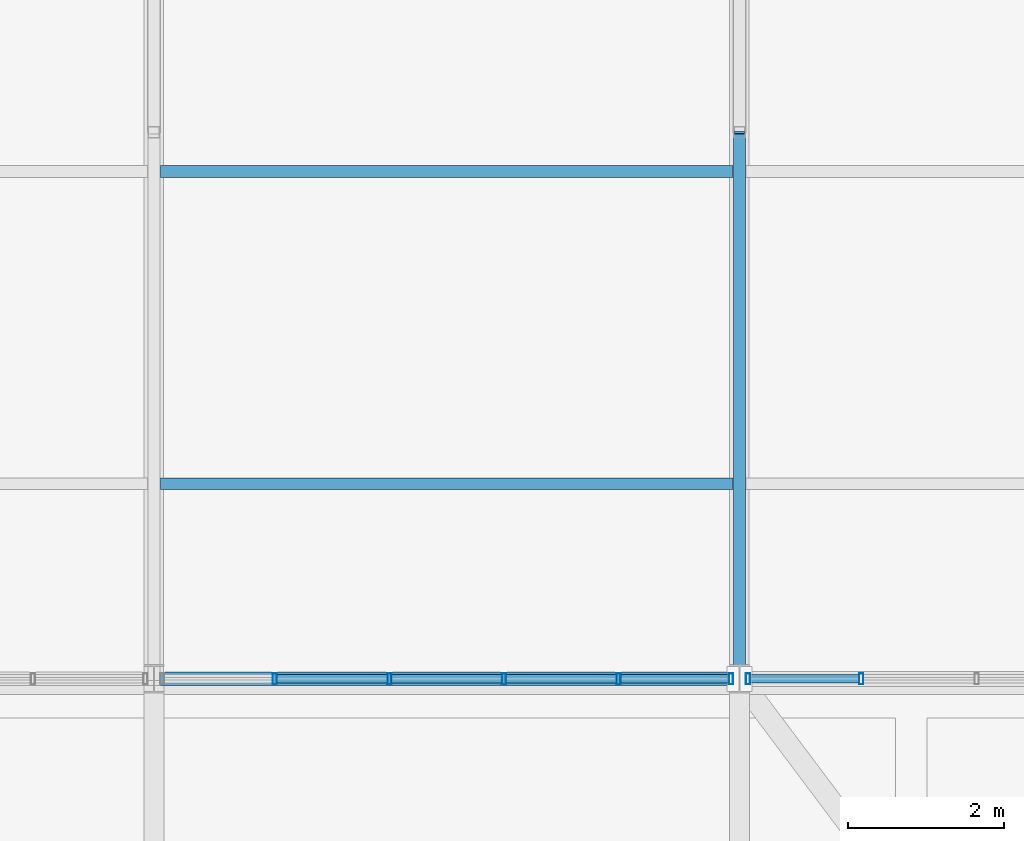
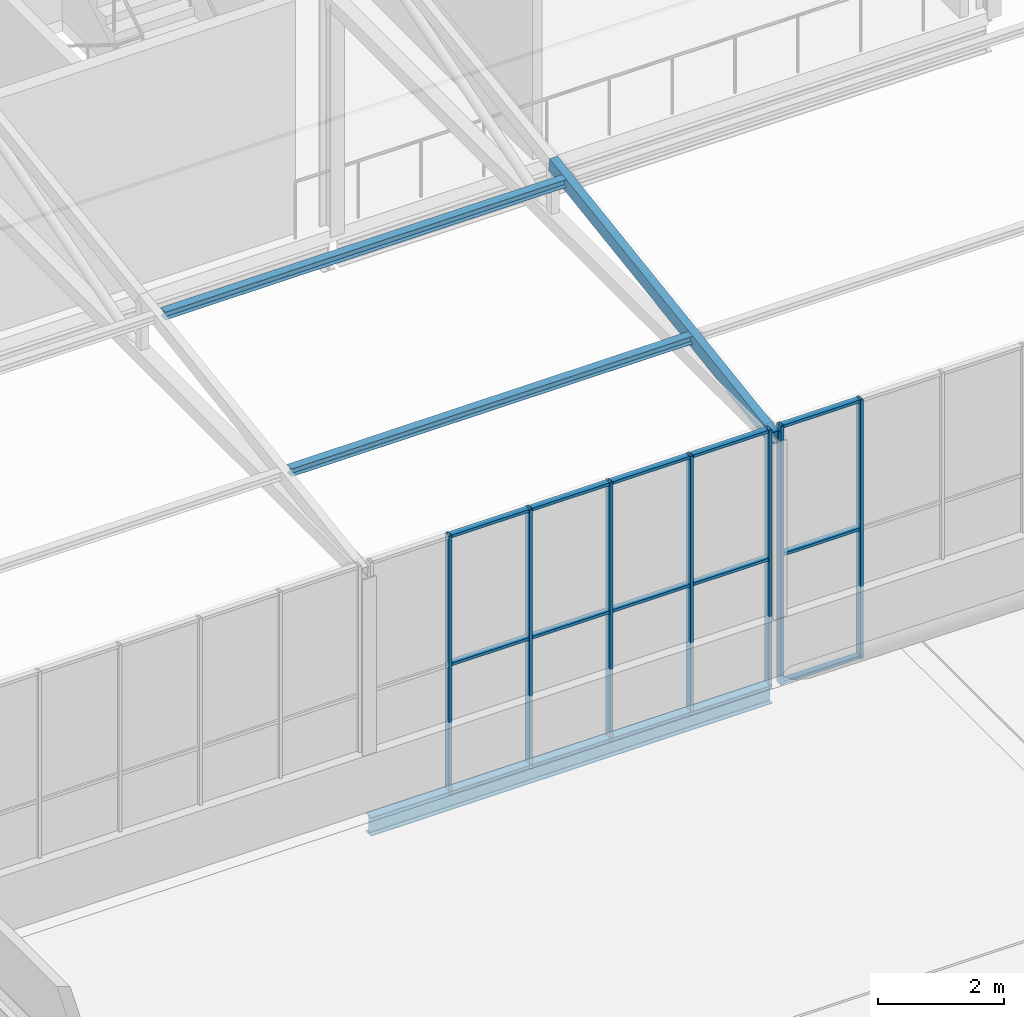
# One storey, part 50 of 104: 23 members, 3 beams, 2 elements without a shape of their own.
"""IFC4 building model written with IfcOpenShell, lengths in metres."""

from ifc_helpers import new_model, si_unit, direction, frame, origin, origin_2d, place, context, subcontext, project, spatial, hollow_rectangle, i_section, extrude, material, layer, layer_set, material_profile, profile_set, type_object, element, aggregate, save


model = new_model("IFC4")

# Units and contexts
model_context = context("Model", 3, precision=1e-05, world=origin(), true_north=direction((0.0, 1.0)))
body_context = subcontext(model_context, "Body", "Model", "MODEL_VIEW")
ifc_project = project(units=[si_unit("LENGTHUNIT", "METRE"), si_unit("AREAUNIT", "SQUARE_METRE"), si_unit("VOLUMEUNIT", "CUBIC_METRE"), si_unit("PLANEANGLEUNIT", "RADIAN"), si_unit("MASSUNIT", "GRAM", prefix="KILO")], contexts=[model_context])

# Site, building, storey
site_placement = place(None, origin())
site = spatial("IfcSite", under=ifc_project, at=site_placement, CompositionType="ELEMENT")
building_placement = place(site_placement, origin())
building = spatial("IfcBuilding", under=site, at=building_placement, Name="Solvenia Promenade Tram Depot", CompositionType="ELEMENT")
storey_placement = place(building_placement, frame((0.0, 0.0, 9.0)))
storey = spatial("IfcBuildingStorey", under=building, at=storey_placement, Name="L02", CompositionType="ELEMENT", Elevation=9.0)

# Curtain wall, members
ifc_material_1 = material(Name="Anodized aluminium AW-6063 T6", Category="aluminium")
ifc_layer = layer(ifc_material_1, 0.080078125, Name="Anodized aluminium AW-6063 T6", Category="aluminium")
ifc_layer_set = layer_set([ifc_layer], Name="Anodized aluminium AW-6063 T6")
curtain_wall_type = type_object("IfcCurtainWallType", Name="CW-Clerest-1500", PredefinedType="NOTDEFINED", material=ifc_layer_set)
curtain_wall_1_placement = place(storey_placement, origin())
curtain_wall_1 = element("IfcCurtainWall", 1, at=curtain_wall_1_placement, inside=storey, type_object=curtain_wall_type, Name="Curtain Wall CW-V2S-L2-06", PredefinedType="NOTDEFINED")
ifc_material_profile_1 = material_profile(ifc_material_1, hollow_rectangle(XDim=0.139892578125, YDim=0.054931640625, WallThickness=0.00390625, at=origin_2d()), Name="ALU-M4", Category="aluminium")
ifc_profile_set_1 = profile_set([ifc_material_profile_1], Name="Anodized aluminium AW-6063 T6")
member_type_1 = type_object("IfcMemberType", Name="CWM-Mullion-4", PredefinedType="MULLION", material=ifc_profile_set_1)
member_1_placement = place(storey_placement, frame((144.048095703125, 24.0, -0.300048828125), z_axis=(0.0, 0.0, 1.0), x_axis=(0.0, 1.0, 0.0)))
member_1 = element("IfcMember", 2, at=member_1_placement, type_object=member_type_1, Name="CW-4 mullion 2", PredefinedType="MULLION", context=body_context, shape_type="SweptSolid", body=[
    extrude(hollow_rectangle(XDim=0.139892578125, YDim=0.054931640625, WallThickness=0.00390625, at=origin_2d()), origin(), (0.0, 0.0, 1.0), 5.0),
])
member_2_placement = place(storey_placement, frame((145.51611328125, 24.0, -0.300048828125), z_axis=(0.0, 0.0, 1.0), x_axis=(0.0, 1.0, 0.0)))
member_2 = element("IfcMember", 3, at=member_2_placement, type_object=member_type_1, Name="CW-4 mullion 3", PredefinedType="MULLION", context=body_context, shape_type="SweptSolid", body=[
    extrude(hollow_rectangle(XDim=0.139892578125, YDim=0.054931640625, WallThickness=0.00390625, at=origin_2d()), origin(), (0.0, 0.0, 1.0), 5.0),
])
member_3_placement = place(storey_placement, frame((146.98388671875, 24.0, -0.300048828125), z_axis=(0.0, 0.0, 1.0), x_axis=(0.0, 1.0, 0.0)))
member_3 = element("IfcMember", 4, at=member_3_placement, type_object=member_type_1, Name="CW-4 mullion 4", PredefinedType="MULLION", context=body_context, shape_type="SweptSolid", body=[
    extrude(hollow_rectangle(XDim=0.139892578125, YDim=0.054931640625, WallThickness=0.00390625, at=origin_2d()), origin(), (0.0, 0.0, 1.0), 5.0),
])
member_4_placement = place(storey_placement, frame((148.451904296875, 24.0, -0.300048828125), z_axis=(0.0, 0.0, 1.0), x_axis=(0.0, 1.0, 0.0)))
member_4 = element("IfcMember", 5, at=member_4_placement, type_object=member_type_1, Name="CW-4 mullion 5", PredefinedType="MULLION", context=body_context, shape_type="SweptSolid", body=[
    extrude(hollow_rectangle(XDim=0.139892578125, YDim=0.054931640625, WallThickness=0.00390625, at=origin_2d()), origin(), (0.0, 0.0, 1.0), 5.0),
])
member_5_placement = place(storey_placement, frame((149.892578125, 24.0, -0.300048828125), z_axis=(0.0, 0.0, 1.0), x_axis=(0.0, 1.0, 0.0)))
member_5 = element("IfcMember", 6, at=member_5_placement, type_object=member_type_1, Name="CW-4 mullion 6", PredefinedType="MULLION", context=body_context, shape_type="SweptSolid", body=[
    extrude(hollow_rectangle(XDim=0.139892578125, YDim=0.054931640625, WallThickness=0.00390625, at=origin_2d()), origin(), (0.0, 0.0, 1.0), 5.0),
])

curtain_wall_2_placement = place(storey_placement, origin())
curtain_wall_2 = element("IfcCurtainWall", 7, at=curtain_wall_2_placement, inside=storey, type_object=curtain_wall_type, Name="Curtain Wall CW-V2S-L2-07", PredefinedType="NOTDEFINED")
member_6_placement = place(storey_placement, frame((150.107421875, 24.0, -0.300048828125), z_axis=(0.0, 0.0, 1.0), x_axis=(0.0, 1.0, 0.0)))
member_6 = element("IfcMember", 8, at=member_6_placement, type_object=member_type_1, Name="CW-4 mullion 1", PredefinedType="MULLION", context=body_context, shape_type="SweptSolid", body=[
    extrude(hollow_rectangle(XDim=0.139892578125, YDim=0.054931640625, WallThickness=0.00390625, at=origin_2d()), origin(), (0.0, 0.0, 1.0), 5.0),
])
member_7_placement = place(storey_placement, frame((151.56005859375, 24.0, -0.300048828125), z_axis=(0.0, 0.0, 1.0), x_axis=(0.0, 1.0, 0.0)))
member_7 = element("IfcMember", 9, at=member_7_placement, type_object=member_type_1, Name="CW-4 mullion 2", PredefinedType="MULLION", context=body_context, shape_type="SweptSolid", body=[
    extrude(hollow_rectangle(XDim=0.139892578125, YDim=0.054931640625, WallThickness=0.00390625, at=origin_2d()), origin(), (0.0, 0.0, 1.0), 5.0),
])

# Member
ifc_material_profile_2 = material_profile(ifc_material_1, hollow_rectangle(XDim=0.110107421875, YDim=0.054931640625, WallThickness=0.00390625, at=origin_2d()), Name="ALU-T4", Category="aluminium")
ifc_profile_set_2 = profile_set([ifc_material_profile_2], Name="Anodized aluminium AW-6063 T6")
member_type_2 = type_object("IfcMemberType", Name="CWT-Transom-4", PredefinedType="USERDEFINED", material=ifc_profile_set_2)
member_8_placement = place(storey_placement, frame((144.075439453125, 24.0, -0.2724609375), z_axis=(1.0, 0.0, 0.0), x_axis=(0.0, 1.0, 0.0)))
member_8 = element("IfcMember", 10, at=member_8_placement, type_object=member_type_2, Name="CW-4 transom 2.1", ObjectType="TRANSOM", PredefinedType="USERDEFINED", context=body_context, shape_type="SweptSolid", body=[
    extrude(hollow_rectangle(XDim=0.110107421875, YDim=0.054931640625, WallThickness=0.00390625, at=origin_2d()), origin(), (0.0, 0.0, 1.0), 1.4130859375),
])

member_9_placement = place(storey_placement, frame((144.075439453125, 24.0, 2.199951171875), z_axis=(1.0, 0.0, 0.0), x_axis=(0.0, 1.0, 0.0)))
member_9 = element("IfcMember", 11, at=member_9_placement, type_object=member_type_2, Name="CW-4 transom 2.2", ObjectType="TRANSOM", PredefinedType="USERDEFINED", context=body_context, shape_type="SweptSolid", body=[
    extrude(hollow_rectangle(XDim=0.110107421875, YDim=0.054931640625, WallThickness=0.00390625, at=origin_2d()), origin(), (0.0, 0.0, 1.0), 1.4130859375),
])

member_10_placement = place(storey_placement, frame((144.075439453125, 24.0, 4.672607421875), z_axis=(1.0, 0.0, 0.0), x_axis=(0.0, 1.0, 0.0)))
member_10 = element("IfcMember", 12, at=member_10_placement, type_object=member_type_2, Name="CW-4 transom 2.3", ObjectType="TRANSOM", PredefinedType="USERDEFINED", context=body_context, shape_type="SweptSolid", body=[
    extrude(hollow_rectangle(XDim=0.110107421875, YDim=0.054931640625, WallThickness=0.00390625, at=origin_2d()), origin(), (0.0, 0.0, 1.0), 1.4130859375),
])

member_11_placement = place(storey_placement, frame((145.54345703125, 24.0, -0.2724609375), z_axis=(1.0, 0.0, 0.0), x_axis=(0.0, 1.0, 0.0)))
member_11 = element("IfcMember", 13, at=member_11_placement, type_object=member_type_2, Name="CW-4 transom 3.1", ObjectType="TRANSOM", PredefinedType="USERDEFINED", context=body_context, shape_type="SweptSolid", body=[
    extrude(hollow_rectangle(XDim=0.110107421875, YDim=0.054931640625, WallThickness=0.00390625, at=origin_2d()), origin(), (0.0, 0.0, 1.0), 1.4130859375),
])

member_12_placement = place(storey_placement, frame((145.54345703125, 24.0, 2.199951171875), z_axis=(1.0, 0.0, 0.0), x_axis=(0.0, 1.0, 0.0)))
member_12 = element("IfcMember", 14, at=member_12_placement, type_object=member_type_2, Name="CW-4 transom 3.2", ObjectType="TRANSOM", PredefinedType="USERDEFINED", context=body_context, shape_type="SweptSolid", body=[
    extrude(hollow_rectangle(XDim=0.110107421875, YDim=0.054931640625, WallThickness=0.00390625, at=origin_2d()), origin(), (0.0, 0.0, 1.0), 1.4130859375),
])

member_13_placement = place(storey_placement, frame((145.54345703125, 24.0, 4.672607421875), z_axis=(1.0, 0.0, 0.0), x_axis=(0.0, 1.0, 0.0)))
member_13 = element("IfcMember", 15, at=member_13_placement, type_object=member_type_2, Name="CW-4 transom 3.3", ObjectType="TRANSOM", PredefinedType="USERDEFINED", context=body_context, shape_type="SweptSolid", body=[
    extrude(hollow_rectangle(XDim=0.110107421875, YDim=0.054931640625, WallThickness=0.00390625, at=origin_2d()), origin(), (0.0, 0.0, 1.0), 1.4130859375),
])

member_14_placement = place(storey_placement, frame((147.011474609375, 24.0, -0.2724609375), z_axis=(1.0, 0.0, 0.0), x_axis=(0.0, 1.0, 0.0)))
member_14 = element("IfcMember", 16, at=member_14_placement, type_object=member_type_2, Name="CW-4 transom 4.1", ObjectType="TRANSOM", PredefinedType="USERDEFINED", context=body_context, shape_type="SweptSolid", body=[
    extrude(hollow_rectangle(XDim=0.110107421875, YDim=0.054931640625, WallThickness=0.00390625, at=origin_2d()), origin(), (0.0, 0.0, 1.0), 1.4130859375),
])

member_15_placement = place(storey_placement, frame((147.011474609375, 24.0, 2.199951171875), z_axis=(1.0, 0.0, 0.0), x_axis=(0.0, 1.0, 0.0)))
member_15 = element("IfcMember", 17, at=member_15_placement, type_object=member_type_2, Name="CW-4 transom 4.2", ObjectType="TRANSOM", PredefinedType="USERDEFINED", context=body_context, shape_type="SweptSolid", body=[
    extrude(hollow_rectangle(XDim=0.110107421875, YDim=0.054931640625, WallThickness=0.00390625, at=origin_2d()), origin(), (0.0, 0.0, 1.0), 1.4130859375),
])

member_16_placement = place(storey_placement, frame((147.011474609375, 24.0, 4.672607421875), z_axis=(1.0, 0.0, 0.0), x_axis=(0.0, 1.0, 0.0)))
member_16 = element("IfcMember", 18, at=member_16_placement, type_object=member_type_2, Name="CW-4 transom 4.3", ObjectType="TRANSOM", PredefinedType="USERDEFINED", context=body_context, shape_type="SweptSolid", body=[
    extrude(hollow_rectangle(XDim=0.110107421875, YDim=0.054931640625, WallThickness=0.00390625, at=origin_2d()), origin(), (0.0, 0.0, 1.0), 1.4130859375),
])

member_17_placement = place(storey_placement, frame((148.4794921875, 24.0, -0.2724609375), z_axis=(1.0, 0.0, 0.0), x_axis=(0.0, 1.0, 0.0)))
member_17 = element("IfcMember", 19, at=member_17_placement, type_object=member_type_2, Name="CW-4 transom 5.1", ObjectType="TRANSOM", PredefinedType="USERDEFINED", context=body_context, shape_type="SweptSolid", body=[
    extrude(hollow_rectangle(XDim=0.110107421875, YDim=0.054931640625, WallThickness=0.00390625, at=origin_2d()), origin(), (0.0, 0.0, 1.0), 1.385498046875),
])

member_18_placement = place(storey_placement, frame((148.4794921875, 24.0, 2.199951171875), z_axis=(1.0, 0.0, 0.0), x_axis=(0.0, 1.0, 0.0)))
member_18 = element("IfcMember", 20, at=member_18_placement, type_object=member_type_2, Name="CW-4 transom 5.2", ObjectType="TRANSOM", PredefinedType="USERDEFINED", context=body_context, shape_type="SweptSolid", body=[
    extrude(hollow_rectangle(XDim=0.110107421875, YDim=0.054931640625, WallThickness=0.00390625, at=origin_2d()), origin(), (0.0, 0.0, 1.0), 1.385498046875),
])

member_19_placement = place(storey_placement, frame((148.4794921875, 24.0, 4.672607421875), z_axis=(1.0, 0.0, 0.0), x_axis=(0.0, 1.0, 0.0)))
member_19 = element("IfcMember", 21, at=member_19_placement, type_object=member_type_2, Name="CW-4 transom 5.3", ObjectType="TRANSOM", PredefinedType="USERDEFINED", context=body_context, shape_type="SweptSolid", body=[
    extrude(hollow_rectangle(XDim=0.110107421875, YDim=0.054931640625, WallThickness=0.00390625, at=origin_2d()), origin(), (0.0, 0.0, 1.0), 1.385498046875),
])

aggregate(curtain_wall_1, [member_1, member_2, member_3, member_4, member_5, member_8, member_9, member_10, member_11, member_12, member_13, member_14, member_15, member_16, member_17, member_18, member_19])

member_20_placement = place(storey_placement, frame((150.135009765625, 24.0, -0.2724609375), z_axis=(1.0, 0.0, 0.0), x_axis=(0.0, 1.0, 0.0)))
member_20 = element("IfcMember", 22, at=member_20_placement, type_object=member_type_2, Name="CW-4 transom 1.1", ObjectType="TRANSOM", PredefinedType="USERDEFINED", context=body_context, shape_type="SweptSolid", body=[
    extrude(hollow_rectangle(XDim=0.110107421875, YDim=0.054931640625, WallThickness=0.00390625, at=origin_2d()), origin(), (0.0, 0.0, 1.0), 1.3974609375),
])

member_21_placement = place(storey_placement, frame((150.135009765625, 24.0, 2.199951171875), z_axis=(1.0, 0.0, 0.0), x_axis=(0.0, 1.0, 0.0)))
member_21 = element("IfcMember", 23, at=member_21_placement, type_object=member_type_2, Name="CW-4 transom 1.2", ObjectType="TRANSOM", PredefinedType="USERDEFINED", context=body_context, shape_type="SweptSolid", body=[
    extrude(hollow_rectangle(XDim=0.110107421875, YDim=0.054931640625, WallThickness=0.00390625, at=origin_2d()), origin(), (0.0, 0.0, 1.0), 1.3974609375),
])

member_22_placement = place(storey_placement, frame((150.135009765625, 24.0, 4.672607421875), z_axis=(1.0, 0.0, 0.0), x_axis=(0.0, 1.0, 0.0)))
member_22 = element("IfcMember", 24, at=member_22_placement, type_object=member_type_2, Name="CW-4 transom 1.3", ObjectType="TRANSOM", PredefinedType="USERDEFINED", context=body_context, shape_type="SweptSolid", body=[
    extrude(hollow_rectangle(XDim=0.110107421875, YDim=0.054931640625, WallThickness=0.00390625, at=origin_2d()), origin(), (0.0, 0.0, 1.0), 1.3974609375),
])

aggregate(curtain_wall_2, [member_6, member_7, member_20, member_21, member_22])

ifc_material_2 = material(Name="Structural steel ASTM A500 Gr. C", Category="steel")
ifc_material_profile_3 = material_profile(ifc_material_2, hollow_rectangle(XDim=0.14990234375, YDim=0.25, WallThickness=0.010009765625, at=origin_2d()), Name="HSS250x150x10", Category="steel")
ifc_profile_set_3 = profile_set([ifc_material_profile_3], Name="Structural steel ASTM A500 Gr. C")
member_type_3 = type_object("IfcMemberType", Name="Chord-HSS250x150x10", PredefinedType="CHORD", material=ifc_profile_set_3)
member_23_placement = place(storey_placement, frame((150.0, 24.0, 4.47998046875), z_axis=(0.0, 0.988935340875, 0.148347199397), x_axis=(-1.0, 0.0, 0.0)))
element("IfcMember", 25, at=member_23_placement, inside=storey, type_object=member_type_3, Name="Crane Hall Clerestory Rafter 07S", PredefinedType="CHORD", context=body_context, shape_type="SweptSolid", body=[
    extrude(hollow_rectangle(XDim=0.14990234375, YDim=0.25, WallThickness=0.010009765625, at=origin_2d()), origin(), (0.0, 0.0, 1.0), 7.078369140625),
])

# Beams
ifc_material_3 = material(Name="Structural steel ASTM A992 Gr. 50", Category="steel")
ifc_material_profile_4 = material_profile(ifc_material_3, i_section(OverallWidth=0.152099609375, OverallDepth=0.152099609375, WebThickness=0.005859375, FlangeThickness=0.006591796875, FilletRadius=0.008056640625, at=origin_2d()), Name="W150x22", Category="steel")
ifc_profile_set_4 = profile_set([ifc_material_profile_4], Name="Structural steel ASTM A992 Gr. 50")
beam_type_1 = type_object("IfcBeamType", Name="Purlin-W150x22", PredefinedType="USERDEFINED", material=ifc_profile_set_4)
for number, where, z_axis, x_axis, name in (
    (26, (142.5849609375, 26.5, 4.919921875), (1.0, 0.0, 0.0), (0.0, 1.0, 0.0), "Clerestory Purlin 0211"),
    (27, (142.5849609375, 30.5, 5.52001953125), (1.0, 0.0, 0.0), (0.0, 1.0, 0.0), "Clerestory Purlin 0212"),
):
    element("IfcBeam", number, at=place(storey_placement, frame(where, z_axis=z_axis, x_axis=x_axis)), inside=storey, type_object=beam_type_1, Name=name, ObjectType="PURLIN", PredefinedType="USERDEFINED", context=body_context, shape_type="SweptSolid", body=[
        extrude(i_section(OverallWidth=0.152099609375, OverallDepth=0.152099609375, WebThickness=0.005859375, FlangeThickness=0.006591796875, FilletRadius=0.008056640625, at=origin_2d()), origin(), (0.0, 0.0, 1.0), 7.330078125),
    ])
ifc_material_profile_5 = material_profile(ifc_material_3, i_section(OverallWidth=0.172119140625, OverallDepth=0.35791015625, WebThickness=0.0078125, FlangeThickness=0.01318359375, FilletRadius=0.010986328125, at=origin_2d()), Name="W360x57", Category="steel")
ifc_profile_set_5 = profile_set([ifc_material_profile_5], Name="Structural steel ASTM A992 Gr. 50")
beam_type_2 = type_object("IfcBeamType", Name="Spandrel-W360x57", PredefinedType="SPANDREL", material=ifc_profile_set_5)
beam_placement = place(storey_placement, frame((142.5849609375, 24.0, -0.39892578125), z_axis=(1.0, 0.0, 0.0), x_axis=(0.0, 1.0, 0.0)))
element("IfcBeam", 28, at=beam_placement, inside=storey, type_object=beam_type_2, Name="Perimeter Spandrel BM-L02-0793", PredefinedType="SPANDREL", context=body_context, shape_type="SweptSolid", body=[
    extrude(i_section(OverallWidth=0.172119140625, OverallDepth=0.35791015625, WebThickness=0.0078125, FlangeThickness=0.01318359375, FilletRadius=0.010986328125, at=origin_2d()), origin(), (0.0, 0.0, 1.0), 7.330078125),
])

save(model, "model.ifc")
